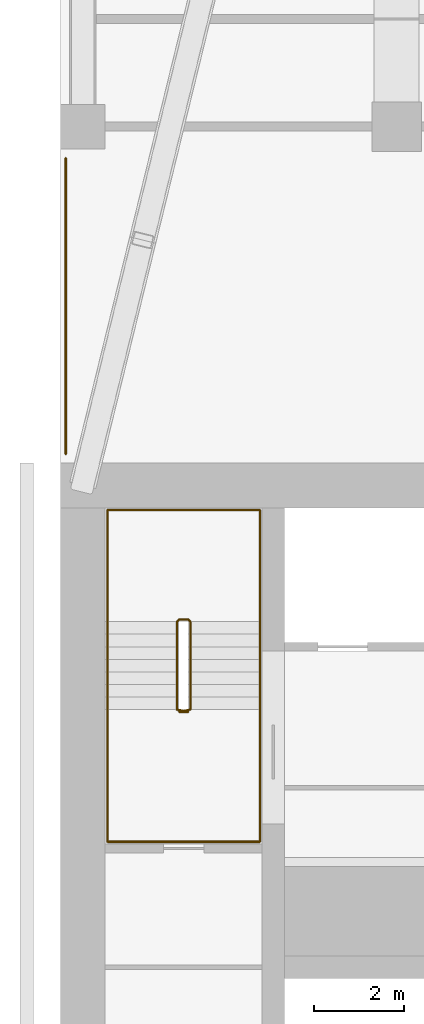
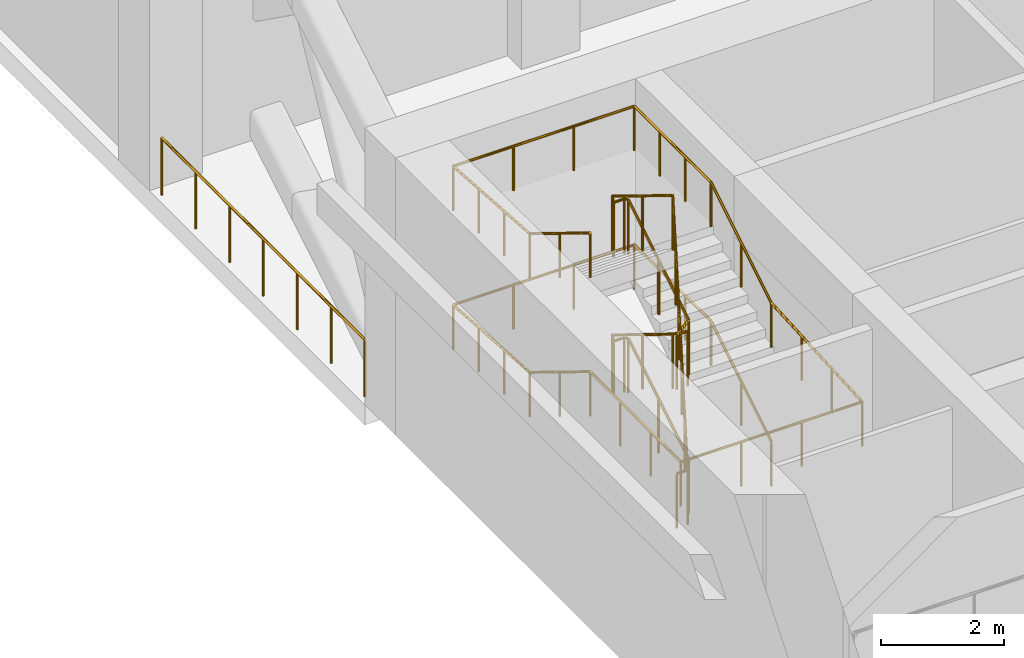
# One storey, part 10 of 10: 3 railings.
"""IFC4 building model written with IfcOpenShell, lengths in metres."""

from ifc_helpers import new_model, si_unit, direction, frame, origin, origin_2d, place, context, subcontext, project, spatial, circle, extrude, material, type_object, element, save


model = new_model("IFC4")

# Units and contexts
model_context = context("Model", 3, precision=1e-05, world=origin(), true_north=direction((0.0, 1.0)))
body_context = subcontext(model_context, "Body", "Model", "MODEL_VIEW")
ifc_project = project(units=[si_unit("LENGTHUNIT", "METRE"), si_unit("AREAUNIT", "SQUARE_METRE"), si_unit("VOLUMEUNIT", "CUBIC_METRE"), si_unit("PLANEANGLEUNIT", "RADIAN"), si_unit("MASSUNIT", "GRAM", prefix="KILO")], contexts=[model_context])

# Site, building, storey
site_placement = place(None, origin())
site = spatial("IfcSite", under=ifc_project, at=site_placement, CompositionType="ELEMENT")
building_placement = place(site_placement, origin())
building = spatial("IfcBuilding", under=site, at=building_placement, Name="Tamorin Gate", CompositionType="ELEMENT")
storey_placement = place(building_placement, frame((0.0, 0.0, 118.699951171875)))
storey = spatial("IfcBuildingStorey", under=building, at=storey_placement, Name="L29", CompositionType="ELEMENT", Elevation=118.699951171875)

# Railings
ifc_material_1 = material(Name="Painted steel balustrade", Category="steel")
railing_type_1 = type_object("IfcRailingType", Name="Stair guard 1100", PredefinedType="GUARDRAIL", material=ifc_material_1)
railing_1_placement = place(storey_placement, frame((32.89990234375, 77.0, 0.171875)))
element("IfcRailing", 1, at=railing_1_placement, inside=storey, type_object=railing_type_1, Name="L29 ST2 stair guard 1", PredefinedType="GUARDRAIL", context=body_context, shape_type="SweptSolid", body=[
    extrude(circle(Radius=0.02392578125, at=origin_2d()), frame((0.0, 0.0, 1.076171875), z_axis=(0.0, 0.852240978134, 0.523149419562), x_axis=(-1.0, 0.0, 0.0)), (0.0, 0.0, 1.0), 2.2998046875),
    extrude(circle(Radius=0.02392578125, at=origin_2d()), frame((0.0, 1.9599609375, 2.279296875), z_axis=(-0.705375805398, 0.708833529934, 0.0), x_axis=(-0.708833529934, -0.705375805398, 0.0)), (0.0, 0.0, 1.0), 0.070556640625),
    extrude(circle(Radius=0.02392578125, at=origin_2d()), frame((-0.0498046875, 2.010009765625, 2.279296875), z_axis=(-1.0, 0.0, 0.0), x_axis=(0.0, -1.0, 0.0)), (0.0, 0.0, 1.0), 0.2001953125),
    extrude(circle(Radius=0.02392578125, at=origin_2d()), frame((-0.25, 2.010009765625, 2.279296875), z_axis=(-0.268036860282, -0.26935076646, 0.924989949209), x_axis=(0.708833529934, -0.705375805398, 0.0)), (0.0, 0.0, 1.0), 0.185791015625),
    extrude(circle(Radius=0.02392578125, at=origin_2d()), frame((-0.2998046875, 1.9599609375, 2.451171875), z_axis=(0.0, -0.852240978134, 0.523149419562), x_axis=(1.0, 0.0, 0.0)), (0.0, 0.0, 1.0), 2.2998046875),
    extrude(circle(Radius=0.02392578125, at=origin_2d()), frame((-0.2998046875, 0.0, 3.654296875), z_axis=(0.98054382908, -0.196300278283, 0.0), x_axis=(0.196300278283, 0.98054382908, 0.0)), (0.0, 0.0, 1.0), 0.2548828125),
    extrude(circle(Radius=0.02392578125, at=origin_2d()), frame((-0.0498046875, -0.050048828125, 3.654296875), z_axis=(-1.0, 0.0, 0.0), x_axis=(0.0, -1.0, 0.0)), (0.0, 0.0, 1.0), 0.2001953125),
    extrude(circle(Radius=0.02392578125, at=origin_2d()), frame((-0.25, -0.050048828125, 3.654296875), z_axis=(0.81305262559, 0.162769324459, 0.558973680093), x_axis=(-0.196300278283, 0.98054382908, 0.0)), (0.0, 0.0, 1.0), 0.307373046875),
    extrude(circle(Radius=0.02392578125, at=origin_2d()), frame((0.0, 0.0, 3.826171875), z_axis=(0.0, 0.852240978134, 0.523149419562), x_axis=(-1.0, 0.0, 0.0)), (0.0, 0.0, 1.0), 2.2998046875),
    extrude(circle(Radius=0.02392578125, at=origin_2d()), frame((0.0, 1.9599609375, 5.029296875), z_axis=(-0.705375805398, 0.708833529934, 0.0), x_axis=(-0.708833529934, -0.705375805398, 0.0)), (0.0, 0.0, 1.0), 0.070556640625),
    extrude(circle(Radius=0.02392578125, at=origin_2d()), frame((-0.0498046875, 2.010009765625, 5.029296875), z_axis=(-1.0, 0.0, 0.0), x_axis=(0.0, -1.0, 0.0)), (0.0, 0.0, 1.0), 0.2001953125),
    extrude(circle(Radius=0.02392578125, at=origin_2d()), frame((-0.25, 2.010009765625, 5.029296875), z_axis=(-0.268036860282, -0.26935076646, 0.924989949209), x_axis=(0.708833529934, -0.705375805398, 0.0)), (0.0, 0.0, 1.0), 0.185791015625),
    extrude(circle(Radius=0.02392578125, at=origin_2d()), frame((-0.2998046875, 1.9599609375, 5.201171875), z_axis=(0.0, -0.852240978134, 0.523149419562), x_axis=(1.0, 0.0, 0.0)), (0.0, 0.0, 1.0), 2.2998046875),
    extrude(circle(Radius=0.02392578125, at=origin_2d()), frame((-0.2998046875, 0.0, 6.404296875), z_axis=(0.045405784895, -0.009090025296, -0.998927267692), x_axis=(0.196300278283, 0.98054382908, 0.0)), (0.0, 0.0, 1.0), 5.505859375),
    extrude(circle(Radius=0.02392578125, at=origin_2d()), frame((-0.0498046875, -0.050048828125, 0.904296875), z_axis=(-1.0, 0.0, 0.0), x_axis=(0.0, -1.0, 0.0)), (0.0, 0.0, 1.0), 0.2001953125),
    extrude(circle(Radius=0.02099609375, at=origin_2d()), origin(), (0.0, 0.0, 1.0), 1.052001953125),
    extrude(circle(Radius=0.02099609375, at=origin_2d()), frame((0.0, 0.97998046875, 0.6015625)), (0.0, 0.0, 1.0), 1.052001953125),
    extrude(circle(Radius=0.02099609375, at=origin_2d()), frame((0.0, 1.9599609375, 1.203125)), (0.0, 0.0, 1.0), 1.052001953125),
    extrude(circle(Radius=0.02099609375, at=origin_2d()), frame((-0.0498046875, 2.010009765625, 1.203125)), (0.0, 0.0, 1.0), 1.052001953125),
    extrude(circle(Radius=0.02099609375, at=origin_2d()), frame((-0.25, 2.010009765625, 1.203125)), (0.0, 0.0, 1.0), 1.052001953125),
    extrude(circle(Radius=0.02099609375, at=origin_2d()), frame((-0.2998046875, 1.9599609375, 1.375)), (0.0, 0.0, 1.0), 1.052001953125),
    extrude(circle(Radius=0.02099609375, at=origin_2d()), frame((-0.2998046875, 0.97998046875, 1.9765625)), (0.0, 0.0, 1.0), 1.052001953125),
    extrude(circle(Radius=0.02099609375, at=origin_2d()), frame((-0.2998046875, 0.0, 2.578125)), (0.0, 0.0, 1.0), 1.052001953125),
    extrude(circle(Radius=0.02099609375, at=origin_2d()), frame((-0.0498046875, -0.050048828125, 2.578125)), (0.0, 0.0, 1.0), 1.052001953125),
    extrude(circle(Radius=0.02099609375, at=origin_2d()), frame((-0.25, -0.050048828125, 2.578125)), (0.0, 0.0, 1.0), 1.052001953125),
    extrude(circle(Radius=0.02099609375, at=origin_2d()), frame((0.0, 0.0, 2.75)), (0.0, 0.0, 1.0), 1.052001953125),
    extrude(circle(Radius=0.02099609375, at=origin_2d()), frame((0.0, 0.97998046875, 3.3515625)), (0.0, 0.0, 1.0), 1.052001953125),
    extrude(circle(Radius=0.02099609375, at=origin_2d()), frame((0.0, 1.9599609375, 3.953125)), (0.0, 0.0, 1.0), 1.052001953125),
    extrude(circle(Radius=0.02099609375, at=origin_2d()), frame((-0.0498046875, 2.010009765625, 3.953125)), (0.0, 0.0, 1.0), 1.052001953125),
    extrude(circle(Radius=0.02099609375, at=origin_2d()), frame((-0.25, 2.010009765625, 3.953125)), (0.0, 0.0, 1.0), 1.052001953125),
    extrude(circle(Radius=0.02099609375, at=origin_2d()), frame((-0.2998046875, 1.9599609375, 4.125)), (0.0, 0.0, 1.0), 1.052001953125),
    extrude(circle(Radius=0.02099609375, at=origin_2d()), frame((-0.2998046875, 0.97998046875, 4.7265625)), (0.0, 0.0, 1.0), 1.052001953125),
    extrude(circle(Radius=0.02099609375, at=origin_2d()), frame((-0.2998046875, 0.0, 5.328125)), (0.0, 0.0, 1.0), 1.052001953125),
    extrude(circle(Radius=0.02099609375, at=origin_2d()), frame((-0.249755859375, -0.010009765625, 4.22802734375)), (0.0, 0.0, 1.0), 1.052001953125),
    extrude(circle(Radius=0.02099609375, at=origin_2d()), frame((-0.19970703125, -0.02001953125, 3.128173828125)), (0.0, 0.0, 1.0), 1.052001953125),
    extrude(circle(Radius=0.02099609375, at=origin_2d()), frame((-0.14990234375, -0.030029296875, 2.028076171875)), (0.0, 0.0, 1.0), 1.052001953125),
    extrude(circle(Radius=0.02099609375, at=origin_2d()), frame((-0.099853515625, -0.0400390625, 0.92822265625)), (0.0, 0.0, 1.0), 1.052001953125),
    extrude(circle(Radius=0.02099609375, at=origin_2d()), frame((-0.0498046875, -0.050048828125, -0.171875)), (0.0, 0.0, 1.0), 1.052001953125),
    extrude(circle(Radius=0.02099609375, at=origin_2d()), frame((-0.25, -0.050048828125, -0.171875)), (0.0, 0.0, 1.0), 1.052001953125),
])
ifc_material_2 = material(Name="Painted steel handrail", Category="steel")
railing_type_2 = type_object("IfcRailingType", Name="Stair handrail 900", PredefinedType="HANDRAIL", material=ifc_material_2)
railing_2_placement = place(storey_placement, frame((34.449951171875, 77.0, 0.171875)))
element("IfcRailing", 2, at=railing_2_placement, inside=storey, type_object=railing_type_2, Name="L29 ST2 stair handrail 1", PredefinedType="HANDRAIL", context=body_context, shape_type="SweptSolid", body=[
    extrude(circle(Radius=0.02392578125, at=origin_2d()), frame((0.0, 0.0, 0.8759765625), z_axis=(0.0, 0.852240978134, 0.523149419562), x_axis=(-1.0, 0.0, 0.0)), (0.0, 0.0, 1.0), 2.2998046875),
    extrude(circle(Radius=0.02392578125, at=origin_2d()), frame((0.0, 1.9599609375, 2.0791015625), z_axis=(0.0, 1.0, 0.0), x_axis=(-1.0, 0.0, 0.0)), (0.0, 0.0, 1.0), 2.489990234375),
    extrude(circle(Radius=0.02392578125, at=origin_2d()), frame((0.0, 4.449951171875, 2.0791015625), z_axis=(-1.0, 0.0, 0.0), x_axis=(0.0, -1.0, 0.0)), (0.0, 0.0, 1.0), 3.39990234375),
    extrude(circle(Radius=0.02392578125, at=origin_2d()), frame((-3.39990234375, 4.449951171875, 2.0791015625), z_axis=(0.0, -0.997626159281, 0.068862517515), x_axis=(1.0, 0.0, 0.0)), (0.0, 0.0, 1.0), 2.495849609375),
    extrude(circle(Radius=0.02392578125, at=origin_2d()), frame((-3.39990234375, 1.9599609375, 2.2509765625), z_axis=(0.0, -0.852240978134, 0.523149419562), x_axis=(1.0, 0.0, 0.0)), (0.0, 0.0, 1.0), 2.2998046875),
    extrude(circle(Radius=0.02392578125, at=origin_2d()), frame((-3.39990234375, 0.0, 3.4541015625), z_axis=(0.0, -1.0, 0.0), x_axis=(1.0, 0.0, 0.0)), (0.0, 0.0, 1.0), 2.949951171875),
    extrude(circle(Radius=0.02392578125, at=origin_2d()), frame((-3.39990234375, -2.949951171875, 3.4541015625), z_axis=(1.0, 0.0, 0.0), x_axis=(0.0, 1.0, 0.0)), (0.0, 0.0, 1.0), 3.39990234375),
    extrude(circle(Radius=0.02392578125, at=origin_2d()), frame((0.0, -2.949951171875, 3.4541015625), z_axis=(0.0, 0.99830698121, 0.058165034741), x_axis=(-1.0, 0.0, 0.0)), (0.0, 0.0, 1.0), 2.954833984375),
    extrude(circle(Radius=0.02392578125, at=origin_2d()), frame((0.0, 0.0, 3.6259765625), z_axis=(0.0, 0.852240978134, 0.523149419562), x_axis=(-1.0, 0.0, 0.0)), (0.0, 0.0, 1.0), 2.2998046875),
    extrude(circle(Radius=0.02392578125, at=origin_2d()), frame((0.0, 1.9599609375, 4.8291015625), z_axis=(0.0, 1.0, 0.0), x_axis=(-1.0, 0.0, 0.0)), (0.0, 0.0, 1.0), 2.489990234375),
    extrude(circle(Radius=0.02392578125, at=origin_2d()), frame((0.0, 4.449951171875, 4.8291015625), z_axis=(-1.0, 0.0, 0.0), x_axis=(0.0, -1.0, 0.0)), (0.0, 0.0, 1.0), 3.39990234375),
    extrude(circle(Radius=0.02392578125, at=origin_2d()), frame((-3.39990234375, 4.449951171875, 4.8291015625), z_axis=(0.0, -0.997626159281, 0.068862517515), x_axis=(1.0, 0.0, 0.0)), (0.0, 0.0, 1.0), 2.495849609375),
    extrude(circle(Radius=0.02392578125, at=origin_2d()), frame((-3.39990234375, 1.9599609375, 5.0009765625), z_axis=(0.0, -0.852240978134, 0.523149419562), x_axis=(1.0, 0.0, 0.0)), (0.0, 0.0, 1.0), 2.2998046875),
    extrude(circle(Radius=0.02099609375, at=origin_2d()), origin(), (0.0, 0.0, 1.0), 0.851806640625),
    extrude(circle(Radius=0.02099609375, at=origin_2d()), frame((0.0, 0.97998046875, 0.6015625)), (0.0, 0.0, 1.0), 0.851806640625),
    extrude(circle(Radius=0.02099609375, at=origin_2d()), frame((0.0, 1.9599609375, 1.203125)), (0.0, 0.0, 1.0), 0.851806640625),
    extrude(circle(Radius=0.02099609375, at=origin_2d()), frame((0.0, 2.7900390625, 1.203125)), (0.0, 0.0, 1.0), 0.851806640625),
    extrude(circle(Radius=0.02099609375, at=origin_2d()), frame((0.0, 3.619873046875, 1.203125)), (0.0, 0.0, 1.0), 0.851806640625),
    extrude(circle(Radius=0.02099609375, at=origin_2d()), frame((0.0, 4.449951171875, 1.203125)), (0.0, 0.0, 1.0), 0.851806640625),
    extrude(circle(Radius=0.02099609375, at=origin_2d()), frame((-1.13330078125, 4.449951171875, 1.203125)), (0.0, 0.0, 1.0), 0.851806640625),
    extrude(circle(Radius=0.02099609375, at=origin_2d()), frame((-2.2666015625, 4.449951171875, 1.203125)), (0.0, 0.0, 1.0), 0.851806640625),
    extrude(circle(Radius=0.02099609375, at=origin_2d()), frame((-3.39990234375, 4.449951171875, 1.203125)), (0.0, 0.0, 1.0), 0.851806640625),
    extrude(circle(Radius=0.02099609375, at=origin_2d()), frame((-3.39990234375, 3.619873046875, 1.260498046875)), (0.0, 0.0, 1.0), 0.851806640625),
    extrude(circle(Radius=0.02099609375, at=origin_2d()), frame((-3.39990234375, 2.7900390625, 1.317626953125)), (0.0, 0.0, 1.0), 0.851806640625),
    extrude(circle(Radius=0.02099609375, at=origin_2d()), frame((-3.39990234375, 1.9599609375, 1.375)), (0.0, 0.0, 1.0), 0.851806640625),
    extrude(circle(Radius=0.02099609375, at=origin_2d()), frame((-3.39990234375, 0.97998046875, 1.9765625)), (0.0, 0.0, 1.0), 0.851806640625),
    extrude(circle(Radius=0.02099609375, at=origin_2d()), frame((-3.39990234375, 0.0, 2.578125)), (0.0, 0.0, 1.0), 0.851806640625),
    extrude(circle(Radius=0.02099609375, at=origin_2d()), frame((-3.39990234375, -0.9833984375, 2.578125)), (0.0, 0.0, 1.0), 0.851806640625),
    extrude(circle(Radius=0.02099609375, at=origin_2d()), frame((-3.39990234375, -1.966552734375, 2.578125)), (0.0, 0.0, 1.0), 0.851806640625),
    extrude(circle(Radius=0.02099609375, at=origin_2d()), frame((-3.39990234375, -2.949951171875, 2.578125)), (0.0, 0.0, 1.0), 0.851806640625),
    extrude(circle(Radius=0.02099609375, at=origin_2d()), frame((-2.2666015625, -2.949951171875, 2.578125)), (0.0, 0.0, 1.0), 0.851806640625),
    extrude(circle(Radius=0.02099609375, at=origin_2d()), frame((-1.13330078125, -2.949951171875, 2.578125)), (0.0, 0.0, 1.0), 0.851806640625),
    extrude(circle(Radius=0.02099609375, at=origin_2d()), frame((0.0, -2.949951171875, 2.578125)), (0.0, 0.0, 1.0), 0.851806640625),
    extrude(circle(Radius=0.02099609375, at=origin_2d()), frame((0.0, -1.966552734375, 2.635498046875)), (0.0, 0.0, 1.0), 0.851806640625),
    extrude(circle(Radius=0.02099609375, at=origin_2d()), frame((0.0, -0.9833984375, 2.692626953125)), (0.0, 0.0, 1.0), 0.851806640625),
    extrude(circle(Radius=0.02099609375, at=origin_2d()), frame((0.0, 0.0, 2.75)), (0.0, 0.0, 1.0), 0.851806640625),
    extrude(circle(Radius=0.02099609375, at=origin_2d()), frame((0.0, 0.97998046875, 3.3515625)), (0.0, 0.0, 1.0), 0.851806640625),
    extrude(circle(Radius=0.02099609375, at=origin_2d()), frame((0.0, 1.9599609375, 3.953125)), (0.0, 0.0, 1.0), 0.851806640625),
    extrude(circle(Radius=0.02099609375, at=origin_2d()), frame((0.0, 2.7900390625, 3.953125)), (0.0, 0.0, 1.0), 0.851806640625),
    extrude(circle(Radius=0.02099609375, at=origin_2d()), frame((0.0, 3.619873046875, 3.953125)), (0.0, 0.0, 1.0), 0.851806640625),
    extrude(circle(Radius=0.02099609375, at=origin_2d()), frame((0.0, 4.449951171875, 3.953125)), (0.0, 0.0, 1.0), 0.851806640625),
    extrude(circle(Radius=0.02099609375, at=origin_2d()), frame((-1.13330078125, 4.449951171875, 3.953125)), (0.0, 0.0, 1.0), 0.851806640625),
    extrude(circle(Radius=0.02099609375, at=origin_2d()), frame((-2.2666015625, 4.449951171875, 3.953125)), (0.0, 0.0, 1.0), 0.851806640625),
    extrude(circle(Radius=0.02099609375, at=origin_2d()), frame((-3.39990234375, 4.449951171875, 3.953125)), (0.0, 0.0, 1.0), 0.851806640625),
    extrude(circle(Radius=0.02099609375, at=origin_2d()), frame((-3.39990234375, 3.619873046875, 4.010498046875)), (0.0, 0.0, 1.0), 0.851806640625),
    extrude(circle(Radius=0.02099609375, at=origin_2d()), frame((-3.39990234375, 2.7900390625, 4.067626953125)), (0.0, 0.0, 1.0), 0.851806640625),
    extrude(circle(Radius=0.02099609375, at=origin_2d()), frame((-3.39990234375, 1.9599609375, 4.125)), (0.0, 0.0, 1.0), 0.851806640625),
    extrude(circle(Radius=0.02099609375, at=origin_2d()), frame((-3.39990234375, 0.97998046875, 4.7265625)), (0.0, 0.0, 1.0), 0.851806640625),
    extrude(circle(Radius=0.02099609375, at=origin_2d()), frame((-3.39990234375, 0.0, 5.328125)), (0.0, 0.0, 1.0), 0.851806640625),
])
ifc_material_3 = material(Name="Stainless steel", Category="steel")
railing_type_3 = type_object("IfcRailingType", Name="Terrace guard 1150", PredefinedType="GUARDRAIL", material=ifc_material_3)
railing_3_placement = place(storey_placement, frame((30.1201171875, 82.699951171875, 0.0)))
element("IfcRailing", 3, at=railing_3_placement, inside=storey, type_object=railing_type_3, Name="Deck edge guard", PredefinedType="GUARDRAIL", context=body_context, shape_type="SweptSolid", body=[
    extrude(circle(Radius=0.02392578125, at=origin_2d()), frame((0.0, 0.0, 1.1259765625), z_axis=(0.0, 1.0, 0.0), x_axis=(-1.0, 0.0, 0.0)), (0.0, 0.0, 1.0), 6.60009765625),
    extrude(circle(Radius=0.02099609375, at=origin_2d()), origin(), (0.0, 0.0, 1.0), 1.101806640625),
    extrude(circle(Radius=0.02099609375, at=origin_2d()), frame((0.0, 1.10009765625, 0.0)), (0.0, 0.0, 1.0), 1.101806640625),
    extrude(circle(Radius=0.02099609375, at=origin_2d()), frame((0.0, 2.199951171875, 0.0)), (0.0, 0.0, 1.0), 1.101806640625),
    extrude(circle(Radius=0.02099609375, at=origin_2d()), frame((0.0, 3.300048828125, 0.0)), (0.0, 0.0, 1.0), 1.101806640625),
    extrude(circle(Radius=0.02099609375, at=origin_2d()), frame((0.0, 4.400146484375, 0.0)), (0.0, 0.0, 1.0), 1.101806640625),
    extrude(circle(Radius=0.02099609375, at=origin_2d()), frame((0.0, 5.5, 0.0)), (0.0, 0.0, 1.0), 1.101806640625),
    extrude(circle(Radius=0.02099609375, at=origin_2d()), frame((0.0, 6.60009765625, 0.0)), (0.0, 0.0, 1.0), 1.101806640625),
])

save(model, "model.ifc")
